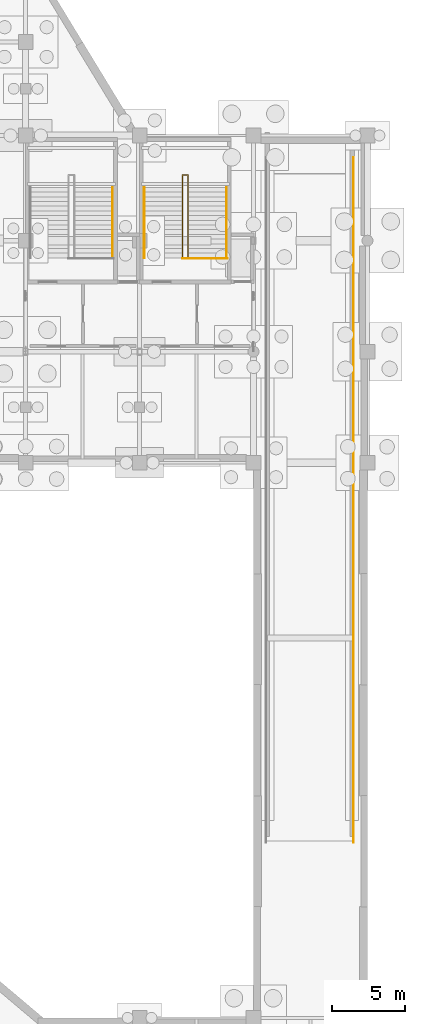
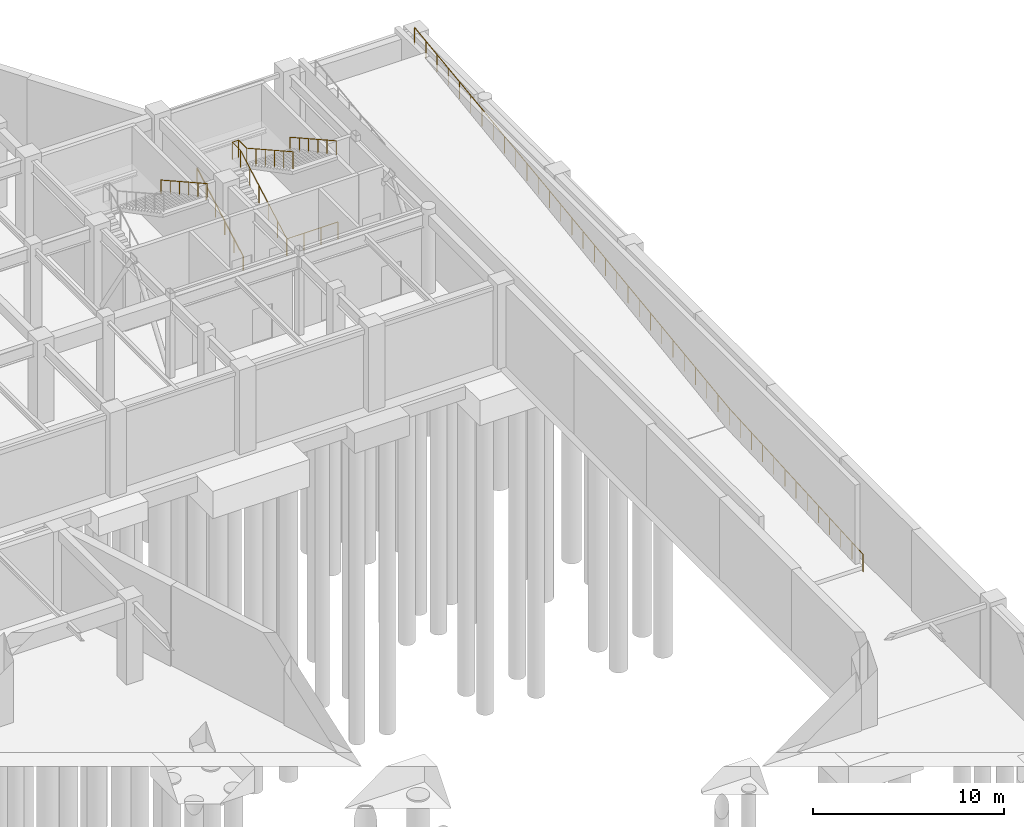
# One storey, part 51 of 52: 6 railings.
"""IFC4 building model written with IfcOpenShell, lengths in metres."""

from ifc_helpers import new_model, si_unit, direction, frame, origin, origin_2d, place, context, subcontext, project, spatial, circle, extrude, material, type_object, element, save


model = new_model("IFC4")

# Units and contexts
model_context = context("Model", 3, precision=1e-05, world=origin(), true_north=direction((0.0, 1.0)))
body_context = subcontext(model_context, "Body", "Model", "MODEL_VIEW")
ifc_project = project(units=[si_unit("LENGTHUNIT", "METRE"), si_unit("AREAUNIT", "SQUARE_METRE"), si_unit("VOLUMEUNIT", "CUBIC_METRE"), si_unit("PLANEANGLEUNIT", "RADIAN"), si_unit("MASSUNIT", "GRAM", prefix="KILO")], contexts=[model_context])

# Site, building, storey
site_placement = place(None, origin())
site = spatial("IfcSite", under=ifc_project, at=site_placement, CompositionType="ELEMENT")
building_placement = place(site_placement, origin())
building = spatial("IfcBuilding", under=site, at=building_placement, Name="Xicomal Pleat Aquarium", CompositionType="ELEMENT")
storey_placement = place(building_placement, frame((0.0, 0.0, -5.39990234375)))
storey = spatial("IfcBuildingStorey", under=building, at=storey_placement, Name="B1", CompositionType="ELEMENT", Elevation=-5.39990234375)

# Railings
ifc_material_1 = material(Name="Brushed stainless steel 316L", Category="steel")
railing_type_1 = type_object("IfcRailingType", Name="RAL-HR-900", PredefinedType="HANDRAIL", material=ifc_material_1)
railing_1_placement = place(storey_placement, frame((147.5400390625, 94.85009765625, 2.699951171875)))
element("IfcRailing", 1, at=railing_1_placement, inside=storey, type_object=railing_type_1, Name="ST-05-B1 flight 2 handrail", PredefinedType="HANDRAIL", context=body_context, shape_type="SweptSolid", body=[
    extrude(circle(Radius=0.02392578125, at=origin_2d()), frame((0.0, 0.0, 0.8759765625), z_axis=(0.0, -0.872882689512, 0.487930128554), x_axis=(1.0, 0.0, 0.0)), (0.0, 0.0, 1.0), 5.533447265625),
    extrude(circle(Radius=0.02099609375, at=origin_2d()), origin(), (0.0, 0.0, 1.0), 0.851806640625),
    extrude(circle(Radius=0.02099609375, at=origin_2d()), frame((0.0, -0.966064453125, 0.5400390625)), (0.0, 0.0, 1.0), 0.851806640625),
    extrude(circle(Radius=0.02099609375, at=origin_2d()), frame((0.0, -1.93212890625, 1.080078125)), (0.0, 0.0, 1.0), 0.851806640625),
    extrude(circle(Radius=0.02099609375, at=origin_2d()), frame((0.0, -2.89794921875, 1.619873046875)), (0.0, 0.0, 1.0), 0.851806640625),
    extrude(circle(Radius=0.02099609375, at=origin_2d()), frame((0.0, -3.864013671875, 2.159912109375)), (0.0, 0.0, 1.0), 0.851806640625),
    extrude(circle(Radius=0.02099609375, at=origin_2d()), frame((0.0, -4.830078125, 2.699951171875)), (0.0, 0.0, 1.0), 0.851806640625),
])
railing_2_placement = place(storey_placement, frame((149.719970703125, 90.02001953125, 0.0)))
element("IfcRailing", 2, at=railing_2_placement, inside=storey, type_object=railing_type_1, Name="ST-06-B1 flight 1 handrail", PredefinedType="HANDRAIL", context=body_context, shape_type="SweptSolid", body=[
    extrude(circle(Radius=0.02392578125, at=origin_2d()), frame((0.0, 0.0, 0.8759765625), z_axis=(0.0, 0.872882689512, 0.487930128554), x_axis=(-1.0, 0.0, 0.0)), (0.0, 0.0, 1.0), 5.533447265625),
    extrude(circle(Radius=0.02099609375, at=origin_2d()), origin(), (0.0, 0.0, 1.0), 0.851806640625),
    extrude(circle(Radius=0.02099609375, at=origin_2d()), frame((0.0, 0.966064453125, 0.5400390625)), (0.0, 0.0, 1.0), 0.851806640625),
    extrude(circle(Radius=0.02099609375, at=origin_2d()), frame((0.0, 1.93212890625, 1.080078125)), (0.0, 0.0, 1.0), 0.851806640625),
    extrude(circle(Radius=0.02099609375, at=origin_2d()), frame((0.0, 2.89794921875, 1.619873046875)), (0.0, 0.0, 1.0), 0.851806640625),
    extrude(circle(Radius=0.02099609375, at=origin_2d()), frame((0.0, 3.864013671875, 2.159912109375)), (0.0, 0.0, 1.0), 0.851806640625),
    extrude(circle(Radius=0.02099609375, at=origin_2d()), frame((0.0, 4.830078125, 2.699951171875)), (0.0, 0.0, 1.0), 0.851806640625),
])
railing_3_placement = place(storey_placement, frame((155.340087890625, 94.85009765625, 2.699951171875)))
element("IfcRailing", 3, at=railing_3_placement, inside=storey, type_object=railing_type_1, Name="ST-06-B1 flight 2 handrail", PredefinedType="HANDRAIL", context=body_context, shape_type="SweptSolid", body=[
    extrude(circle(Radius=0.02392578125, at=origin_2d()), frame((0.0, 0.0, 0.8759765625), z_axis=(0.0, -0.872882689512, 0.487930128554), x_axis=(1.0, 0.0, 0.0)), (0.0, 0.0, 1.0), 5.533447265625),
    extrude(circle(Radius=0.02099609375, at=origin_2d()), origin(), (0.0, 0.0, 1.0), 0.851806640625),
    extrude(circle(Radius=0.02099609375, at=origin_2d()), frame((0.0, -0.966064453125, 0.5400390625)), (0.0, 0.0, 1.0), 0.851806640625),
    extrude(circle(Radius=0.02099609375, at=origin_2d()), frame((0.0, -1.93212890625, 1.080078125)), (0.0, 0.0, 1.0), 0.851806640625),
    extrude(circle(Radius=0.02099609375, at=origin_2d()), frame((0.0, -2.89794921875, 1.619873046875)), (0.0, 0.0, 1.0), 0.851806640625),
    extrude(circle(Radius=0.02099609375, at=origin_2d()), frame((0.0, -3.864013671875, 2.159912109375)), (0.0, 0.0, 1.0), 0.851806640625),
    extrude(circle(Radius=0.02099609375, at=origin_2d()), frame((0.0, -4.830078125, 2.699951171875)), (0.0, 0.0, 1.0), 0.851806640625),
])
ifc_material_2 = material(Name="Brushed stainless steel 316L", Category="steel")
railing_type_2 = type_object("IfcRailingType", Name="RAL-STG-1120", PredefinedType="GUARDRAIL", material=ifc_material_2)
railing_4_placement = place(storey_placement, frame((152.340087890625, 90.02001953125, 0.0)))
element("IfcRailing", 4, at=railing_4_placement, inside=storey, type_object=railing_type_2, Name="ST-06-B1 inner well guard", PredefinedType="GUARDRAIL", context=body_context, shape_type="SweptSolid", body=[
    extrude(circle(Radius=0.02392578125, at=origin_2d()), frame((0.0, 0.0, 1.09619140625), z_axis=(0.0, 0.872882689512, 0.487930128554), x_axis=(-1.0, 0.0, 0.0)), (0.0, 0.0, 1.0), 5.533447265625),
    extrude(circle(Radius=0.02392578125, at=origin_2d()), frame((0.0, 4.830078125, 3.7958984375), z_axis=(0.0, 1.0, 0.0), x_axis=(-1.0, 0.0, 0.0)), (0.0, 0.0, 1.0), 0.849853515625),
    extrude(circle(Radius=0.02392578125, at=origin_2d()), frame((0.0, 5.679931640625, 3.7958984375), z_axis=(1.0, 0.0, 0.0), x_axis=(0.0, 1.0, 0.0)), (0.0, 0.0, 1.0), 0.3798828125),
    extrude(circle(Radius=0.02392578125, at=origin_2d()), frame((0.3798828125, 5.679931640625, 3.7958984375), z_axis=(0.0, -1.0, 0.0), x_axis=(1.0, 0.0, 0.0)), (0.0, 0.0, 1.0), 0.849853515625),
    extrude(circle(Radius=0.02392578125, at=origin_2d()), frame((0.3798828125, 4.830078125, 3.7958984375), z_axis=(0.0, -0.872882689512, 0.487930128554), x_axis=(1.0, 0.0, 0.0)), (0.0, 0.0, 1.0), 5.533447265625),
    extrude(circle(Radius=0.02099609375, at=origin_2d()), origin(), (0.0, 0.0, 1.0), 1.072021484375),
    extrude(circle(Radius=0.02099609375, at=origin_2d()), frame((0.0, 0.966064453125, 0.5400390625)), (0.0, 0.0, 1.0), 1.072021484375),
    extrude(circle(Radius=0.02099609375, at=origin_2d()), frame((0.0, 1.93212890625, 1.080078125)), (0.0, 0.0, 1.0), 1.072021484375),
    extrude(circle(Radius=0.02099609375, at=origin_2d()), frame((0.0, 2.89794921875, 1.619873046875)), (0.0, 0.0, 1.0), 1.072021484375),
    extrude(circle(Radius=0.02099609375, at=origin_2d()), frame((0.0, 3.864013671875, 2.159912109375)), (0.0, 0.0, 1.0), 1.072021484375),
    extrude(circle(Radius=0.02099609375, at=origin_2d()), frame((0.0, 4.830078125, 2.699951171875)), (0.0, 0.0, 1.0), 1.072021484375),
    extrude(circle(Radius=0.02099609375, at=origin_2d()), frame((0.0, 5.679931640625, 2.699951171875)), (0.0, 0.0, 1.0), 1.072021484375),
    extrude(circle(Radius=0.02099609375, at=origin_2d()), frame((0.3798828125, 5.679931640625, 2.699951171875)), (0.0, 0.0, 1.0), 1.072021484375),
    extrude(circle(Radius=0.02099609375, at=origin_2d()), frame((0.3798828125, 4.830078125, 2.699951171875)), (0.0, 0.0, 1.0), 1.072021484375),
    extrude(circle(Radius=0.02099609375, at=origin_2d()), frame((0.3798828125, 3.864013671875, 3.239990234375)), (0.0, 0.0, 1.0), 1.072021484375),
    extrude(circle(Radius=0.02099609375, at=origin_2d()), frame((0.3798828125, 2.89794921875, 3.780029296875)), (0.0, 0.0, 1.0), 1.072021484375),
    extrude(circle(Radius=0.02099609375, at=origin_2d()), frame((0.3798828125, 1.93212890625, 4.31982421875)), (0.0, 0.0, 1.0), 1.072021484375),
    extrude(circle(Radius=0.02099609375, at=origin_2d()), frame((0.3798828125, 0.966064453125, 4.85986328125)), (0.0, 0.0, 1.0), 1.072021484375),
    extrude(circle(Radius=0.02099609375, at=origin_2d()), frame((0.3798828125, 0.0, 5.39990234375)), (0.0, 0.0, 1.0), 1.072021484375),
])
railing_5_placement = place(storey_placement, frame((152.340087890625, 89.97998046875, 0.0)))
element("IfcRailing", 5, at=railing_5_placement, inside=storey, type_object=railing_type_2, Name="ST-06-B1 floor landing slot guard", PredefinedType="GUARDRAIL", context=body_context, shape_type="SweptSolid", body=[
    extrude(circle(Radius=0.02392578125, at=origin_2d()), frame((0.0, 0.0, 1.09619140625), z_axis=(1.0, 0.0, 0.0), x_axis=(0.0, 1.0, 0.0)), (0.0, 0.0, 1.0), 3.079833984375),
    extrude(circle(Radius=0.02099609375, at=origin_2d()), origin(), (0.0, 0.0, 1.0), 1.072021484375),
    extrude(circle(Radius=0.02099609375, at=origin_2d()), frame((1.026611328125, 0.0, 0.0)), (0.0, 0.0, 1.0), 1.072021484375),
    extrude(circle(Radius=0.02099609375, at=origin_2d()), frame((2.05322265625, 0.0, 0.0)), (0.0, 0.0, 1.0), 1.072021484375),
    extrude(circle(Radius=0.02099609375, at=origin_2d()), frame((3.079833984375, 0.0, 0.0)), (0.0, 0.0, 1.0), 1.072021484375),
])
railing_6_placement = place(storey_placement, frame((164.0400390625, 50.0, 0.0)))
element("IfcRailing", 6, at=railing_6_placement, inside=storey, type_object=railing_type_2, Name="Vehicle ramp sloping deck edge guard E", PredefinedType="GUARDRAIL", context=body_context, shape_type="SweptSolid", body=[
    extrude(circle(Radius=0.02392578125, at=origin_2d()), frame((0.0, 0.0, 1.09619140625), z_axis=(0.0, 0.998205511447, 0.05988119), x_axis=(-1.0, 0.0, 0.0)), (0.0, 0.0, 1.0), 14.025146484375),
    extrude(circle(Radius=0.02392578125, at=origin_2d()), frame((0.0, 14.0, 1.93603515625), z_axis=(0.0, 0.99133237752, 0.131377765551), x_axis=(-1.0, 0.0, 0.0)), (0.0, 0.0, 1.0), 33.1875),
    extrude(circle(Radius=0.02099609375, at=origin_2d()), origin(), (0.0, 0.0, 1.0), 1.072021484375),
    extrude(circle(Radius=0.02099609375, at=origin_2d()), frame((0.0, 1.166748046875, 0.070068359375)), (0.0, 0.0, 1.0), 1.072021484375),
    extrude(circle(Radius=0.02099609375, at=origin_2d()), frame((0.0, 2.333251953125, 0.139892578125)), (0.0, 0.0, 1.0), 1.072021484375),
    extrude(circle(Radius=0.02099609375, at=origin_2d()), frame((0.0, 3.5, 0.2099609375)), (0.0, 0.0, 1.0), 1.072021484375),
    extrude(circle(Radius=0.02099609375, at=origin_2d()), frame((0.0, 4.666748046875, 0.280029296875)), (0.0, 0.0, 1.0), 1.072021484375),
    extrude(circle(Radius=0.02099609375, at=origin_2d()), frame((0.0, 5.833251953125, 0.349853515625)), (0.0, 0.0, 1.0), 1.072021484375),
    extrude(circle(Radius=0.02099609375, at=origin_2d()), frame((0.0, 7.0, 0.419921875)), (0.0, 0.0, 1.0), 1.072021484375),
    extrude(circle(Radius=0.02099609375, at=origin_2d()), frame((0.0, 8.166748046875, 0.489990234375)), (0.0, 0.0, 1.0), 1.072021484375),
    extrude(circle(Radius=0.02099609375, at=origin_2d()), frame((0.0, 9.333251953125, 0.559814453125)), (0.0, 0.0, 1.0), 1.072021484375),
    extrude(circle(Radius=0.02099609375, at=origin_2d()), frame((0.0, 10.5, 0.6298828125)), (0.0, 0.0, 1.0), 1.072021484375),
    extrude(circle(Radius=0.02099609375, at=origin_2d()), frame((0.0, 11.666748046875, 0.699951171875)), (0.0, 0.0, 1.0), 1.072021484375),
    extrude(circle(Radius=0.02099609375, at=origin_2d()), frame((0.0, 12.833251953125, 0.769775390625)), (0.0, 0.0, 1.0), 1.072021484375),
    extrude(circle(Radius=0.02099609375, at=origin_2d()), frame((0.0, 14.0, 0.83984375)), (0.0, 0.0, 1.0), 1.072021484375),
    extrude(circle(Radius=0.02099609375, at=origin_2d()), frame((0.0, 15.175048828125, 0.99560546875)), (0.0, 0.0, 1.0), 1.072021484375),
    extrude(circle(Radius=0.02099609375, at=origin_2d()), frame((0.0, 16.35009765625, 1.1513671875)), (0.0, 0.0, 1.0), 1.072021484375),
    extrude(circle(Radius=0.02099609375, at=origin_2d()), frame((0.0, 17.52490234375, 1.306884765625)), (0.0, 0.0, 1.0), 1.072021484375),
    extrude(circle(Radius=0.02099609375, at=origin_2d()), frame((0.0, 18.699951171875, 1.462646484375)), (0.0, 0.0, 1.0), 1.072021484375),
    extrude(circle(Radius=0.02099609375, at=origin_2d()), frame((0.0, 19.875, 1.618408203125)), (0.0, 0.0, 1.0), 1.072021484375),
    extrude(circle(Radius=0.02099609375, at=origin_2d()), frame((0.0, 21.050048828125, 1.774169921875)), (0.0, 0.0, 1.0), 1.072021484375),
    extrude(circle(Radius=0.02099609375, at=origin_2d()), frame((0.0, 22.22509765625, 1.929931640625)), (0.0, 0.0, 1.0), 1.072021484375),
    extrude(circle(Radius=0.02099609375, at=origin_2d()), frame((0.0, 23.39990234375, 2.085693359375)), (0.0, 0.0, 1.0), 1.072021484375),
    extrude(circle(Radius=0.02099609375, at=origin_2d()), frame((0.0, 24.574951171875, 2.2412109375)), (0.0, 0.0, 1.0), 1.072021484375),
    extrude(circle(Radius=0.02099609375, at=origin_2d()), frame((0.0, 25.75, 2.39697265625)), (0.0, 0.0, 1.0), 1.072021484375),
    extrude(circle(Radius=0.02099609375, at=origin_2d()), frame((0.0, 26.925048828125, 2.552734375)), (0.0, 0.0, 1.0), 1.072021484375),
    extrude(circle(Radius=0.02099609375, at=origin_2d()), frame((0.0, 28.099853515625, 2.70849609375)), (0.0, 0.0, 1.0), 1.072021484375),
    extrude(circle(Radius=0.02099609375, at=origin_2d()), frame((0.0, 29.27490234375, 2.8642578125)), (0.0, 0.0, 1.0), 1.072021484375),
    extrude(circle(Radius=0.02099609375, at=origin_2d()), frame((0.0, 30.449951171875, 3.02001953125)), (0.0, 0.0, 1.0), 1.072021484375),
    extrude(circle(Radius=0.02099609375, at=origin_2d()), frame((0.0, 31.625, 3.175537109375)), (0.0, 0.0, 1.0), 1.072021484375),
    extrude(circle(Radius=0.02099609375, at=origin_2d()), frame((0.0, 32.800048828125, 3.331298828125)), (0.0, 0.0, 1.0), 1.072021484375),
    extrude(circle(Radius=0.02099609375, at=origin_2d()), frame((0.0, 33.974853515625, 3.487060546875)), (0.0, 0.0, 1.0), 1.072021484375),
    extrude(circle(Radius=0.02099609375, at=origin_2d()), frame((0.0, 35.14990234375, 3.642822265625)), (0.0, 0.0, 1.0), 1.072021484375),
    extrude(circle(Radius=0.02099609375, at=origin_2d()), frame((0.0, 36.324951171875, 3.798583984375)), (0.0, 0.0, 1.0), 1.072021484375),
    extrude(circle(Radius=0.02099609375, at=origin_2d()), frame((0.0, 37.5, 3.9541015625)), (0.0, 0.0, 1.0), 1.072021484375),
    extrude(circle(Radius=0.02099609375, at=origin_2d()), frame((0.0, 38.6748046875, 4.10986328125)), (0.0, 0.0, 1.0), 1.072021484375),
    extrude(circle(Radius=0.02099609375, at=origin_2d()), frame((0.0, 39.849853515625, 4.265625)), (0.0, 0.0, 1.0), 1.072021484375),
    extrude(circle(Radius=0.02099609375, at=origin_2d()), frame((0.0, 41.02490234375, 4.42138671875)), (0.0, 0.0, 1.0), 1.072021484375),
    extrude(circle(Radius=0.02099609375, at=origin_2d()), frame((0.0, 42.199951171875, 4.5771484375)), (0.0, 0.0, 1.0), 1.072021484375),
    extrude(circle(Radius=0.02099609375, at=origin_2d()), frame((0.0, 43.375, 4.73291015625)), (0.0, 0.0, 1.0), 1.072021484375),
    extrude(circle(Radius=0.02099609375, at=origin_2d()), frame((0.0, 44.5498046875, 4.888427734375)), (0.0, 0.0, 1.0), 1.072021484375),
    extrude(circle(Radius=0.02099609375, at=origin_2d()), frame((0.0, 45.724853515625, 5.044189453125)), (0.0, 0.0, 1.0), 1.072021484375),
    extrude(circle(Radius=0.02099609375, at=origin_2d()), frame((0.0, 46.89990234375, 5.199951171875)), (0.0, 0.0, 1.0), 1.072021484375),
])

save(model, "model.ifc")
